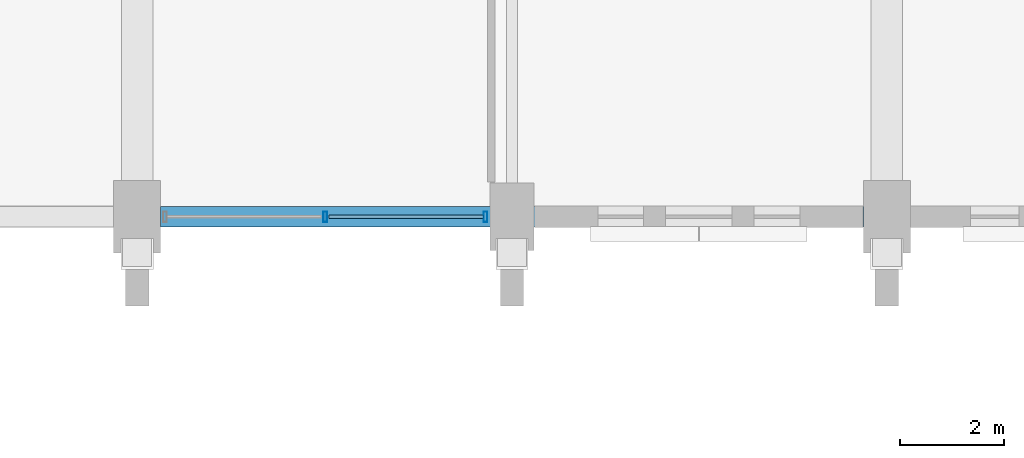
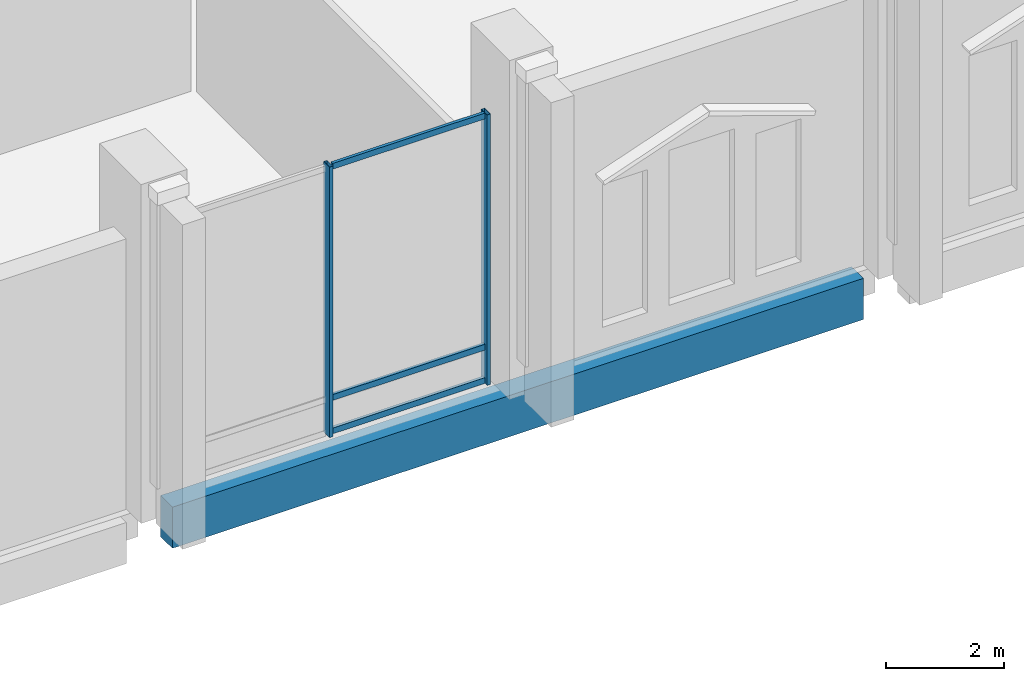
# One storey, part 46 of 220: 5 members, 1 beam, 1 element without a shape of its own.
"""IFC4 building model written with IfcOpenShell, lengths in metres."""

from ifc_helpers import new_model, si_unit, direction, frame, origin, origin_2d, place, context, subcontext, project, spatial, rectangle, hollow_rectangle, extrude, material, material_profile, profile_set, type_object, element, aggregate, save


model = new_model("IFC4")

# Units and contexts
model_context = context("Model", 3, precision=1e-05, world=origin(), true_north=direction((0.0, 1.0)))
body_context = subcontext(model_context, "Body", "Model", "MODEL_VIEW")
ifc_project = project(units=[si_unit("LENGTHUNIT", "METRE"), si_unit("AREAUNIT", "SQUARE_METRE"), si_unit("VOLUMEUNIT", "CUBIC_METRE"), si_unit("PLANEANGLEUNIT", "RADIAN"), si_unit("MASSUNIT", "GRAM", prefix="KILO")], contexts=[model_context])

# Site, building, storey
site_placement = place(None, origin())
site = spatial("IfcSite", under=ifc_project, at=site_placement, CompositionType="ELEMENT")
building_placement = place(site_placement, origin())
building = spatial("IfcBuilding", under=site, at=building_placement, Name="Cendralis Lancet Convention Centre", CompositionType="ELEMENT")
storey_placement = place(building_placement, frame((0.0, 0.0, 5.39990234375)))
storey = spatial("IfcBuildingStorey", under=building, at=storey_placement, Name="L01", CompositionType="ELEMENT", Elevation=5.39990234375)

# Curtain wall, members
ifc_material_1 = material(Name="Anodised bronze architectural aluminium", Category="aluminium")
curtain_wall_type = type_object("IfcCurtainWallType", Name="ARC-CW-CL02", PredefinedType="USERDEFINED", material=ifc_material_1)
curtain_wall_placement = place(storey_placement, origin())
curtain_wall = element("IfcCurtainWall", 1, at=curtain_wall_placement, inside=storey, type_object=curtain_wall_type, Name="L01 Curtain Wall CW-CL2 #098", ObjectType="CURTAIN WALL", PredefinedType="USERDEFINED")
ifc_material_profile_1 = material_profile(ifc_material_1, hollow_rectangle(XDim=0.070068359375, YDim=0.199951171875, WallThickness=0.0048828125, at=origin_2d()), Name="AL-MULL 70x200x5.0")
ifc_profile_set_1 = profile_set([ifc_material_profile_1], Name="Anodised bronze architectural aluminium")
member_type_1 = type_object("IfcMemberType", Name="ARC-CW-ML02", PredefinedType="MULLION", material=ifc_profile_set_1)
member_1_placement = place(storey_placement, frame((100.2900390625, 50.39990234375, 0.0), z_axis=(0.0, 0.0, 1.0), x_axis=(1.0, 0.0, 0.0)))
member_1 = element("IfcMember", 2, at=member_1_placement, type_object=member_type_1, Name="Mullion CW2-CW-CL2-L01-098-M0", PredefinedType="MULLION", context=body_context, shape_type="SweptSolid", body=[
    extrude(hollow_rectangle(XDim=0.070068359375, YDim=0.199951171875, WallThickness=0.0048828125, at=origin_2d()), origin(), (0.0, 0.0, 1.0), 5.585205078125),
])
member_2_placement = place(storey_placement, frame((97.21240234375, 50.39990234375, 0.0), z_axis=(0.0, 0.0, 1.0), x_axis=(1.0, 0.0, 0.0)))
member_2 = element("IfcMember", 3, at=member_2_placement, type_object=member_type_1, Name="Mullion CW2-CW-CL2-L01-098-M1", PredefinedType="MULLION", context=body_context, shape_type="SweptSolid", body=[
    extrude(hollow_rectangle(XDim=0.070068359375, YDim=0.199951171875, WallThickness=0.0048828125, at=origin_2d()), origin(), (0.0, 0.0, 1.0), 5.585205078125),
])
ifc_material_profile_2 = material_profile(ifc_material_1, hollow_rectangle(XDim=0.06005859375, YDim=0.1201171875, WallThickness=0.00390625, at=origin_2d()), Name="AL-TRAN 60x120x4.0")
ifc_profile_set_2 = profile_set([ifc_material_profile_2], Name="Anodised bronze architectural aluminium")
member_type_2 = type_object("IfcMemberType", Name="ARC-CW-TR01", PredefinedType="USERDEFINED", material=ifc_profile_set_2)
member_3_placement = place(storey_placement, frame((100.2548828125, 50.39990234375, 0.06005859375), z_axis=(-1.0, 0.0, 0.0), x_axis=(0.0, -1.0, 0.0)))
member_3 = element("IfcMember", 4, at=member_3_placement, type_object=member_type_2, Name="Transom CW2-CW-CL2-L01-098-T0BOT", ObjectType="TRANSOM", PredefinedType="USERDEFINED", context=body_context, shape_type="SweptSolid", body=[
    extrude(hollow_rectangle(XDim=0.06005859375, YDim=0.1201171875, WallThickness=0.00390625, at=origin_2d()), origin(), (0.0, 0.0, 1.0), 2.972412109375),
])
member_4_placement = place(storey_placement, frame((100.2548828125, 50.39990234375, 0.75), z_axis=(-1.0, 0.0, 0.0), x_axis=(0.0, -1.0, 0.0)))
member_4 = element("IfcMember", 5, at=member_4_placement, type_object=member_type_2, Name="Transom CW2-CW-CL2-L01-098-T0MID", ObjectType="TRANSOM", PredefinedType="USERDEFINED", context=body_context, shape_type="SweptSolid", body=[
    extrude(hollow_rectangle(XDim=0.06005859375, YDim=0.1201171875, WallThickness=0.00390625, at=origin_2d()), origin(), (0.0, 0.0, 1.0), 2.972412109375),
])
member_5_placement = place(storey_placement, frame((100.2548828125, 50.39990234375, 5.525146484375), z_axis=(-1.0, 0.0, 0.0), x_axis=(0.0, -1.0, 0.0)))
member_5 = element("IfcMember", 6, at=member_5_placement, type_object=member_type_2, Name="Transom CW2-CW-CL2-L01-098-T0TOP", ObjectType="TRANSOM", PredefinedType="USERDEFINED", context=body_context, shape_type="SweptSolid", body=[
    extrude(hollow_rectangle(XDim=0.06005859375, YDim=0.1201171875, WallThickness=0.00390625, at=origin_2d()), origin(), (0.0, 0.0, 1.0), 2.972412109375),
])
aggregate(curtain_wall, [member_1, member_2, member_3, member_4, member_5])

# Beam
ifc_material_2 = material(Name="Concrete G40 (C40/50)", Category="concrete")
ifc_material_profile_3 = material_profile(ifc_material_2, rectangle(XDim=0.39990234375, YDim=0.85009765625, at=origin_2d()), Name="RCB 400x850")
ifc_profile_set_3 = profile_set([ifc_material_profile_3], Name="Concrete G40 (C40/50)")
beam_type = type_object("IfcBeamType", Name="STR-SP-SP02", PredefinedType="SPANDREL", material=ifc_profile_set_3)
beam_placement = place(storey_placement, frame((94.050048828125, 50.39990234375, -0.704833984375), z_axis=(1.0, 0.0, 0.0), x_axis=(0.0, 1.0, 0.0)))
element("IfcBeam", 7, at=beam_placement, inside=storey, type_object=beam_type, Name="L01 Beam SP02 #1210", PredefinedType="SPANDREL", context=body_context, shape_type="SweptSolid", body=[
    extrude(rectangle(XDim=0.39990234375, YDim=0.85009765625, at=origin_2d()), origin(), (0.0, 0.0, 1.0), 13.5),
])

save(model, "model.ifc")
